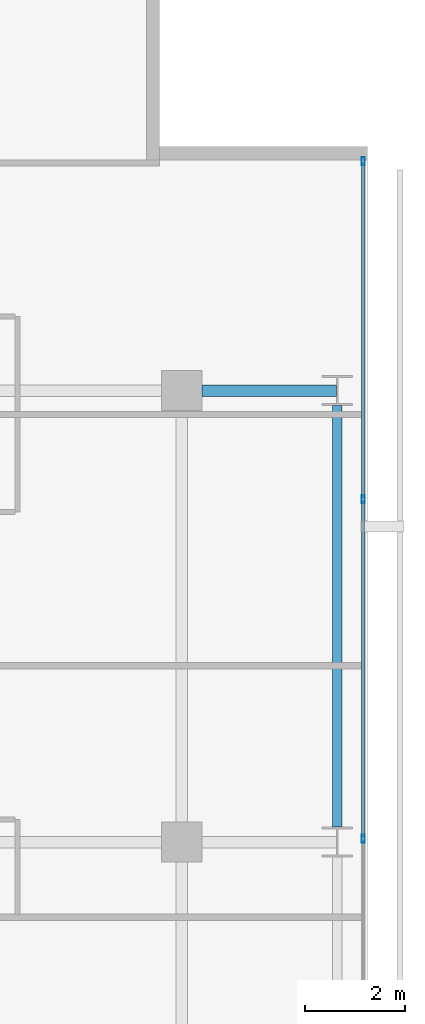
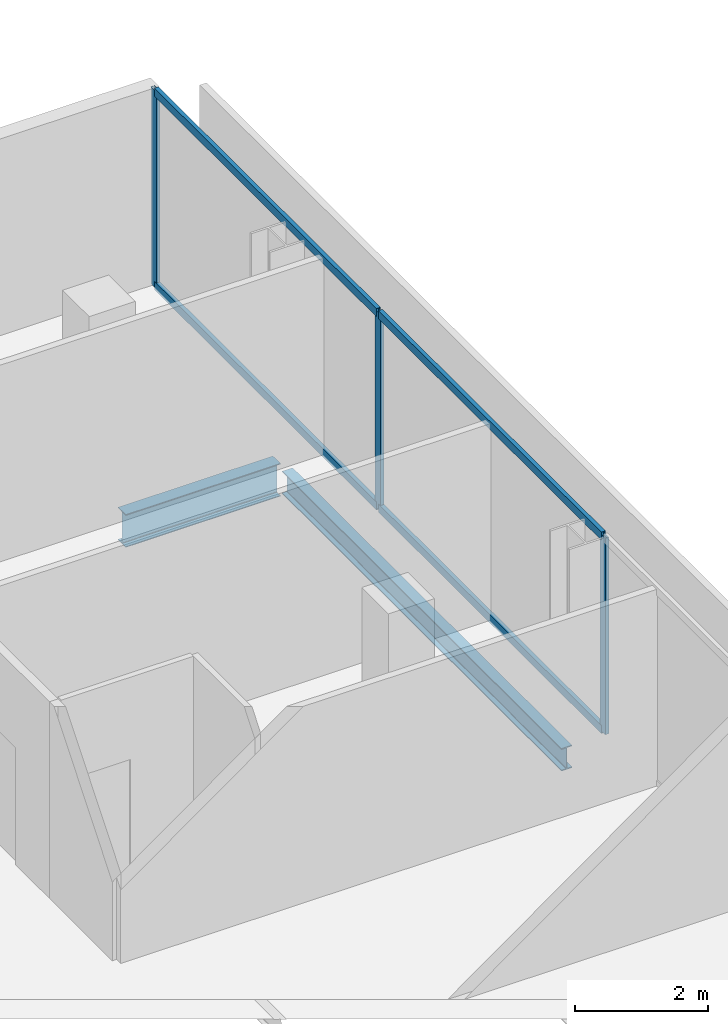
# One storey, part 24 of 34: 7 members, 2 beams, 1 element without a shape of its own.
"""IFC4 building model written with IfcOpenShell, lengths in metres."""

from ifc_helpers import new_model, si_unit, direction, frame, origin, origin_2d, place, context, subcontext, project, spatial, hollow_rectangle, i_section, extrude, material, layer, layer_set, material_profile, profile_set, type_object, element, aggregate, save


model = new_model("IFC4")

# Units and contexts
model_context = context("Model", 3, precision=1e-05, world=origin(), true_north=direction((0.0, 1.0)))
body_context = subcontext(model_context, "Body", "Model", "MODEL_VIEW")
ifc_project = project(units=[si_unit("LENGTHUNIT", "METRE"), si_unit("AREAUNIT", "SQUARE_METRE"), si_unit("VOLUMEUNIT", "CUBIC_METRE"), si_unit("PLANEANGLEUNIT", "RADIAN"), si_unit("MASSUNIT", "GRAM", prefix="KILO")], contexts=[model_context])

# Site, building, storey
site_placement = place(None, origin())
site = spatial("IfcSite", under=ifc_project, at=site_placement, CompositionType="ELEMENT")
building_placement = place(site_placement, origin())
building = spatial("IfcBuilding", under=site, at=building_placement, Name="Maruvema Waterfront Hotel and Observation Tower", CompositionType="ELEMENT")
storey_placement = place(building_placement, frame((0.0, 0.0, 173.60009765625)))
storey = spatial("IfcBuildingStorey", under=building, at=storey_placement, Name="L42", CompositionType="ELEMENT", Elevation=173.60009765625)

# Curtain wall, members
ifc_material_1 = material(Name="Anodised bronze aluminium and solar-control low-E IGU", Category="aluminium")
ifc_layer = layer(ifc_material_1, 0.159912109375, Name="Zone 2 Amber Inner Thermal Curtain Wall System CW-03")
ifc_layer_set = layer_set([ifc_layer], Name="Anodised bronze aluminium and solar-control low-E IGU")
curtain_wall_type = type_object("IfcCurtainWallType", Name="Zone 2 Amber Inner Thermal Curtain Wall System CW-03", PredefinedType="USERDEFINED", material=ifc_layer_set)
curtain_wall_placement = place(storey_placement, origin())
curtain_wall = element("IfcCurtainWall", 1, at=curtain_wall_placement, inside=storey, type_object=curtain_wall_type, Name="L42 Curtain Wall CW-L42-E", ObjectType="UNITISED CURTAIN WALL", PredefinedType="USERDEFINED")
ifc_material_2 = material(Name="Anodised architectural bronze aluminium", Category="aluminium")
ifc_material_profile_1 = material_profile(ifc_material_2, hollow_rectangle(XDim=0.070068359375, YDim=0.14990234375, WallThickness=0.00390625, at=origin_2d()), Name="ALU-T70x150")
ifc_profile_set_1 = profile_set([ifc_material_profile_1], Name="Anodised architectural bronze aluminium")
member_type_1 = type_object("IfcMemberType", Name="Curtain Wall Horizontal Transom ALU-T70x150", PredefinedType="USERDEFINED", material=ifc_profile_set_1)
member_1_placement = place(storey_placement, frame((62.419921875, 36.0966796875, 0.02978515625), z_axis=(0.0, 1.0, 0.0), x_axis=(-1.0, 0.0, 0.0)))
member_1 = element("IfcMember", 2, at=member_1_placement, type_object=member_type_1, Name="CW-03 transom 5.1", ObjectType="TRANSOM", PredefinedType="USERDEFINED", context=body_context, shape_type="SweptSolid", body=[
    extrude(hollow_rectangle(XDim=0.070068359375, YDim=0.14990234375, WallThickness=0.00390625, at=origin_2d()), origin(), (0.0, 0.0, 1.0), 6.70654296875),
])
member_2_placement = place(storey_placement, frame((62.419921875, 36.0966796875, 3.579833984375), z_axis=(0.0, 1.0, 0.0), x_axis=(-1.0, 0.0, 0.0)))
member_2 = element("IfcMember", 3, at=member_2_placement, type_object=member_type_1, Name="CW-03 transom 5.2", ObjectType="TRANSOM", PredefinedType="USERDEFINED", context=body_context, shape_type="SweptSolid", body=[
    extrude(hollow_rectangle(XDim=0.070068359375, YDim=0.14990234375, WallThickness=0.00390625, at=origin_2d()), origin(), (0.0, 0.0, 1.0), 6.70654296875),
])
member_3_placement = place(storey_placement, frame((62.419921875, 42.86328125, 0.02978515625), z_axis=(0.0, 1.0, 0.0), x_axis=(-1.0, 0.0, 0.0)))
member_3 = element("IfcMember", 4, at=member_3_placement, type_object=member_type_1, Name="CW-03 transom 6.1", ObjectType="TRANSOM", PredefinedType="USERDEFINED", context=body_context, shape_type="SweptSolid", body=[
    extrude(hollow_rectangle(XDim=0.070068359375, YDim=0.14990234375, WallThickness=0.00390625, at=origin_2d()), origin(), (0.0, 0.0, 1.0), 6.6767578125),
])
member_4_placement = place(storey_placement, frame((62.419921875, 42.86328125, 3.579833984375), z_axis=(0.0, 1.0, 0.0), x_axis=(-1.0, 0.0, 0.0)))
member_4 = element("IfcMember", 5, at=member_4_placement, type_object=member_type_1, Name="CW-03 transom 6.2", ObjectType="TRANSOM", PredefinedType="USERDEFINED", context=body_context, shape_type="SweptSolid", body=[
    extrude(hollow_rectangle(XDim=0.070068359375, YDim=0.14990234375, WallThickness=0.00390625, at=origin_2d()), origin(), (0.0, 0.0, 1.0), 6.6767578125),
])
ifc_material_3 = material(Name="Anodised architectural bronze aluminium", Category="aluminium")
ifc_material_profile_2 = material_profile(ifc_material_3, hollow_rectangle(XDim=0.06494140625, YDim=0.1650390625, WallThickness=0.00390625, at=origin_2d()), Name="ALU-M65x165")
ifc_profile_set_2 = profile_set([ifc_material_profile_2], Name="Anodised architectural bronze aluminium")
member_type_2 = type_object("IfcMemberType", Name="Curtain Wall Primary Mullion ALU-M65x165", PredefinedType="MULLION", material=ifc_profile_set_2)
member_5_placement = place(storey_placement, frame((62.419921875, 36.066650390625, 0.0), z_axis=(0.0, 0.0, 1.0), x_axis=(-1.0, 0.0, 0.0)))
member_5 = element("IfcMember", 6, at=member_5_placement, type_object=member_type_2, Name="CW-03 mullion 5", PredefinedType="MULLION", context=body_context, shape_type="SweptSolid", body=[
    extrude(hollow_rectangle(XDim=0.06494140625, YDim=0.1650390625, WallThickness=0.00390625, at=origin_2d()), origin(), (0.0, 0.0, 1.0), 3.60986328125),
])
member_6_placement = place(storey_placement, frame((62.419921875, 42.833251953125, 0.0), z_axis=(0.0, 0.0, 1.0), x_axis=(-1.0, 0.0, 0.0)))
member_6 = element("IfcMember", 7, at=member_6_placement, type_object=member_type_2, Name="CW-03 mullion 6", PredefinedType="MULLION", context=body_context, shape_type="SweptSolid", body=[
    extrude(hollow_rectangle(XDim=0.06494140625, YDim=0.1650390625, WallThickness=0.00390625, at=origin_2d()), origin(), (0.0, 0.0, 1.0), 3.60986328125),
])
member_7_placement = place(storey_placement, frame((62.419921875, 49.570068359375, 0.0), z_axis=(0.0, 0.0, 1.0), x_axis=(-1.0, 0.0, 0.0)))
member_7 = element("IfcMember", 8, at=member_7_placement, type_object=member_type_2, Name="CW-03 mullion 7", PredefinedType="MULLION", context=body_context, shape_type="SweptSolid", body=[
    extrude(hollow_rectangle(XDim=0.06494140625, YDim=0.1650390625, WallThickness=0.00390625, at=origin_2d()), origin(), (0.0, 0.0, 1.0), 3.60986328125),
])
aggregate(curtain_wall, [member_5, member_6, member_7, member_1, member_2, member_3, member_4])

# Beams
ifc_material_4 = material(Name="Steel ASTM A572 Grade 50", Category="steel")
ifc_material_profile_3 = material_profile(ifc_material_4, i_section(OverallWidth=0.180908203125, OverallDepth=0.4169921875, WebThickness=0.010986328125, FlangeThickness=0.018310546875, FilletRadius=0.014892578125, at=origin_2d()), Name="W410x85.0")
ifc_profile_set_3 = profile_set([ifc_material_profile_3], Name="Steel ASTM A572 Grade 50")
beam_type_1 = type_object("IfcBeamType", Name="Perimeter Spandrel Beam W410x85.0", PredefinedType="SPANDREL", material=ifc_profile_set_3)
beam_1_placement = place(storey_placement, frame((61.89990234375, 36.300048828125, -0.448486328125), z_axis=(0.0, 1.0, 0.0), x_axis=(-1.0, 0.0, 0.0)))
element("IfcBeam", 9, at=beam_1_placement, inside=storey, type_object=beam_type_1, Name="L42 Floor Girder NS-32", PredefinedType="SPANDREL", context=body_context, shape_type="SweptSolid", body=[
    extrude(i_section(OverallWidth=0.180908203125, OverallDepth=0.4169921875, WebThickness=0.010986328125, FlangeThickness=0.018310546875, FilletRadius=0.014892578125, at=origin_2d()), origin(), (0.0, 0.0, 1.0), 8.39990234375),
])
ifc_material_5 = material(Name="Steel ASTM A572 Grade 50", Category="steel")
ifc_material_profile_4 = material_profile(ifc_material_5, i_section(OverallWidth=0.22802734375, OverallDepth=0.60302734375, WebThickness=0.010498046875, FlangeThickness=0.014892578125, FilletRadius=0.01806640625, at=origin_2d()), Name="W610x101.0")
ifc_profile_set_4 = profile_set([ifc_material_profile_4], Name="Steel ASTM A572 Grade 50")
beam_type_2 = type_object("IfcBeamType", Name="Primary Floor Girder W610x101.0", PredefinedType="BEAM", material=ifc_profile_set_4)
beam_2_placement = place(storey_placement, frame((59.199951171875, 45.0, -0.54150390625), z_axis=(1.0, 0.0, 0.0), x_axis=(0.0, 1.0, 0.0)))
element("IfcBeam", 10, at=beam_2_placement, inside=storey, type_object=beam_type_2, Name="L42 Floor Girder EW-33", PredefinedType="BEAM", context=body_context, shape_type="SweptSolid", body=[
    extrude(i_section(OverallWidth=0.22802734375, OverallDepth=0.60302734375, WebThickness=0.010498046875, FlangeThickness=0.014892578125, FilletRadius=0.01806640625, at=origin_2d()), origin(), (0.0, 0.0, 1.0), 2.6875),
])

save(model, "model.ifc")
